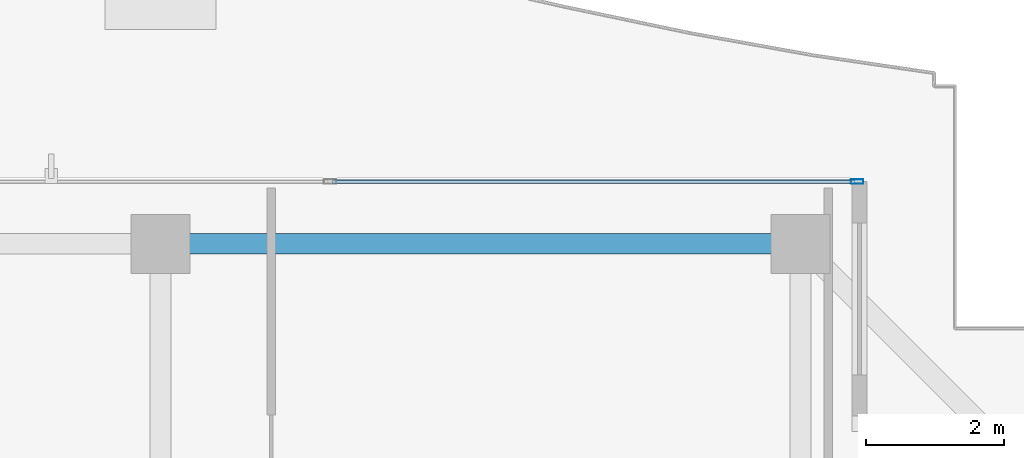
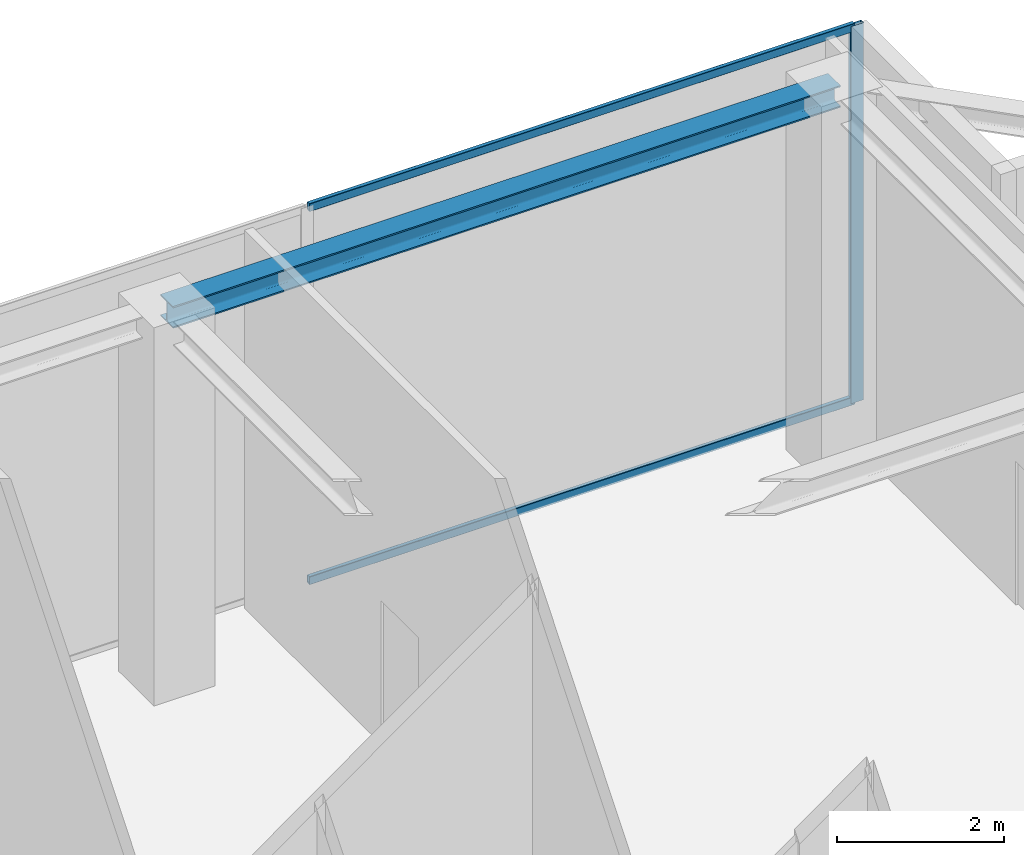
# One storey, part 24 of 38: 3 members, 1 beam, 1 element without a shape of its own.
"""IFC4 building model written with IfcOpenShell, lengths in metres."""

import ifcopenshell
import ifcopenshell.guid

model = None  # the IFC model being written
_history = None  # IfcOwnerHistory: only IFC2X3 demands one
_inside = {}  # id of a spatial element -> (the spatial element, [elements in it])
_under = {}  # id of a project, library or spatial element -> (it, [spatial elements below it])
_declared = {}  # id of a project -> (the project, [libraries it declares])
_typed = {}  # id of a type object -> (the type object, [elements of that type])
_made_of = {}  # id of a material, layer set ... -> (it, [elements and type objects made of it])


def new_model(schema):
    """Start an empty IFC model of exactly this schema.

    Asked for "IFC4X3", IfcOpenShell would pick the latest addendum, in which some entities
    have other attributes; the version numbers below select the first issue.
    IFC2X3 requires an IfcOwnerHistory on every rooted entity: one is made here for all.
    """
    global model, _history
    if schema == "IFC4X3":
        model = ifcopenshell.file(schema_version=(4, 3, 0, 0))
    else:
        model = ifcopenshell.file(schema=schema)
    _inside.clear()
    _under.clear()
    _declared.clear()
    _typed.clear()
    _made_of.clear()
    _history = None
    if model.schema == "IFC2X3":
        org = make("IfcOrganization", Name="unknown")
        user = make(
            "IfcPersonAndOrganization",
            ThePerson=make("IfcPerson", FamilyName="unknown"),
            TheOrganization=org,
        )
        app = make(
            "IfcApplication",
            ApplicationDeveloper=org,
            Version="unknown",
            ApplicationFullName="unknown",
            ApplicationIdentifier="unknown",
        )
        _history = make(
            "IfcOwnerHistory",
            OwningUser=user,
            OwningApplication=app,
            ChangeAction="ADDED",
            CreationDate=0,
        )
    return model


def make(cls, **values):
    """One entity of the class cls with the attributes given. An attribute that is None is left unset."""
    return model.create_entity(
        cls, **{name: value for name, value in values.items() if value is not None}
    )


def rooted(cls, **values):
    """An entity with a GlobalId (a new one), such as an element, a storey or a relation."""
    return make(cls, GlobalId=ifcopenshell.guid.new(), OwnerHistory=_history, **values)


def si_unit(unit_type, name, prefix=None):
    """IfcSIUnit, for example si_unit("LENGTHUNIT", "METRE", prefix="MILLI")."""
    return make("IfcSIUnit", UnitType=unit_type, Prefix=prefix, Name=name)


def assignment(units):
    """IfcUnitAssignment: the units of a project."""
    return None if units is None else make("IfcUnitAssignment", Units=units)


def point(xyz):
    """IfcCartesianPoint."""
    return None if xyz is None else make("IfcCartesianPoint", Coordinates=xyz)


def direction(xyz):
    """IfcDirection."""
    return None if xyz is None else make("IfcDirection", DirectionRatios=xyz)


def frame(location, z_axis=None, x_axis=None):
    """IfcAxis2Placement3D, a coordinate frame: its origin and axes. An axis left out is left unset."""
    return make(
        "IfcAxis2Placement3D",
        Location=point(location),
        Axis=direction(z_axis),
        RefDirection=direction(x_axis),
    )


def frame_2d(location, x_axis=None):
    """IfcAxis2Placement2D, a coordinate frame in the plane: its origin and x axis."""
    return make(
        "IfcAxis2Placement2D", Location=point(location), RefDirection=direction(x_axis)
    )


def origin():
    """The frame at (0, 0, 0) with its axes left unset."""
    return frame((0.0, 0.0, 0.0))


def origin_2d():
    """The frame at (0, 0) in the plane with its x axis left unset."""
    return frame_2d((0.0, 0.0))


def place(relative_to, where):
    """IfcLocalPlacement: puts the frame where relative to a parent placement (None: the world)."""
    return make(
        "IfcLocalPlacement", PlacementRelTo=relative_to, RelativePlacement=where
    )


def context(
    kind, dimensions, precision=None, world=None, true_north=None, identifier=None
):
    """IfcGeometricRepresentationContext, for example the 3D "Model" context."""
    return make(
        "IfcGeometricRepresentationContext",
        ContextIdentifier=identifier,
        ContextType=kind,
        CoordinateSpaceDimension=dimensions,
        Precision=precision,
        WorldCoordinateSystem=world,
        TrueNorth=true_north,
    )


def subcontext(parent, identifier, kind, view, scale=None):
    """IfcGeometricRepresentationSubContext, for example "Body" below "Model"."""
    return make(
        "IfcGeometricRepresentationSubContext",
        ContextIdentifier=identifier,
        ContextType=kind,
        ParentContext=parent,
        TargetScale=scale,
        TargetView=view,
    )


def project(units=None, contexts=None):
    """IfcProject with its units and contexts."""
    return rooted(
        "IfcProject",
        Name="project",
        RepresentationContexts=contexts,
        UnitsInContext=assignment(units),
    )


def spatial(cls, under=None, at=None, **own):
    """A site, building, storey or space (cls), placed at a placement, below another one or the project."""
    s = rooted(cls, ObjectPlacement=at, **own)
    if under is not None:
        _under.setdefault(under.id(), (under, []))[1].append(s)
    return s


def profile(cls, at=None, kind="AREA", **sizes):
    """A parametric profile (cls). Its sizes go by their IFC names, for example OverallWidth=200.0."""
    return make(cls, ProfileType=kind, Position=at, **sizes)


def hollow_rectangle(**sizes):
    """IfcRectangleHollowProfileDef."""
    return profile("IfcRectangleHollowProfileDef", **sizes)


def i_section(**sizes):
    """IfcIShapeProfileDef."""
    return profile("IfcIShapeProfileDef", **sizes)


def extrude(swept, where, along, depth):
    """IfcExtrudedAreaSolid: the profile swept, set in the frame where, extruded along a direction by depth."""
    return make(
        "IfcExtrudedAreaSolid",
        SweptArea=swept,
        Position=where,
        ExtrudedDirection=direction(along),
        Depth=depth,
    )


def shape(context_of_items, identifier, shape_type, items):
    """IfcShapeRepresentation: the items that make up one representation, for example the "Body"."""
    return make(
        "IfcShapeRepresentation",
        ContextOfItems=context_of_items,
        RepresentationIdentifier=identifier,
        RepresentationType=shape_type,
        Items=items,
    )


def source(mapping_origin, context_of_items, identifier, shape_type, items):
    """IfcRepresentationMap: a shape defined once, which mapped items show again and again."""
    return make(
        "IfcRepresentationMap",
        MappingOrigin=mapping_origin,
        MappedRepresentation=shape(context_of_items, identifier, shape_type, items),
    )


def transform(
    local_origin,
    x_axis=None,
    y_axis=None,
    z_axis=None,
    scale=None,
    scale2=None,
    scale3=None,
    uniform=True,
):
    """IfcCartesianTransformationOperator3D, or its non-uniform kind. x_axis, y_axis, z_axis: its Axis1, 2, 3."""
    if uniform:
        return make(
            "IfcCartesianTransformationOperator3D",
            Axis1=direction(x_axis),
            Axis2=direction(y_axis),
            LocalOrigin=point(local_origin),
            Scale=scale,
            Axis3=direction(z_axis),
        )
    return make(
        "IfcCartesianTransformationOperator3DnonUniform",
        Axis1=direction(x_axis),
        Axis2=direction(y_axis),
        LocalOrigin=point(local_origin),
        Scale=scale,
        Axis3=direction(z_axis),
        Scale2=scale2,
        Scale3=scale3,
    )


def mapped(mapping_source, mapping_target):
    """IfcMappedItem: shows the shape of a source again, moved by a transform."""
    return make(
        "IfcMappedItem", MappingSource=mapping_source, MappingTarget=mapping_target
    )


def material(Name=None, Category=None):
    """IfcMaterial."""
    return make("IfcMaterial", Name=Name, Category=Category)


def layer(
    of_material, thickness, ventilated=None, Name=None, Category=None, Priority=None
):
    """IfcMaterialLayer: one layer of a wall or slab, of a material (None: an air gap)."""
    return make(
        "IfcMaterialLayer",
        Material=of_material,
        LayerThickness=thickness,
        IsVentilated=ventilated,
        Name=Name,
        Category=Category,
        Priority=Priority,
    )


def layer_set(layers, Name=None):
    """IfcMaterialLayerSet."""
    return make("IfcMaterialLayerSet", MaterialLayers=layers, LayerSetName=Name)


def material_profile(
    of_material, cross_section, Name=None, Category=None, Priority=None
):
    """IfcMaterialProfile: a cross section and its material."""
    return make(
        "IfcMaterialProfile",
        Name=Name,
        Material=of_material,
        Profile=cross_section,
        Priority=Priority,
        Category=Category,
    )


def profile_set(profiles, Name=None, composite=None):
    """IfcMaterialProfileSet."""
    return make(
        "IfcMaterialProfileSet",
        Name=Name,
        MaterialProfiles=profiles,
        CompositeProfile=composite,
    )


def made_of(thing, what):
    """Note that an element or type object is made of a material, layer set ...; save() writes the relation."""
    if what is not None:
        _made_of.setdefault(what.id(), (what, []))[1].append(thing)
    return thing


def type_object(cls, material=None, **own):
    """A type object (cls), such as IfcWallType, which elements share."""
    return made_of(rooted(cls, **own), material)


def element(
    cls,
    number,
    at=None,
    inside=None,
    cuts=None,
    type_object=None,
    material=None,
    context=None,
    identifier="Body",
    shape_type=None,
    held_by="IfcProductDefinitionShape",
    body=None,
    shapes=None,
    **own,
):
    """One element of the class cls, such as IfcWall. Its Tag is "e" and its number.

    at: its placement. inside: the storey or other place that contains it. cuts: it is an
    opening in that element (IfcRelVoidsElement). A single representation is given by context,
    identifier, shape_type and body (its items); several are given by shapes. held_by: the class
    of the entity that holds the representations. save() writes the other relations.
    """
    e = rooted(cls, Tag="e%d" % number, ObjectPlacement=at, **own)
    if body is not None:
        shapes = [shape(context, identifier, shape_type, body)]
    if shapes is not None:
        e.Representation = make(held_by, Representations=shapes)
    if inside is not None:
        _inside.setdefault(inside.id(), (inside, []))[1].append(e)
    if cuts is not None:
        rooted(
            "IfcRelVoidsElement", RelatingBuildingElement=cuts, RelatedOpeningElement=e
        )
    if type_object is not None:
        _typed.setdefault(type_object.id(), (type_object, []))[1].append(e)
    return made_of(e, material)


def aggregate(whole, parts):
    """IfcRelAggregates: a whole, such as a stair, and the parts it consists of."""
    return rooted("IfcRelAggregates", RelatingObject=whole, RelatedObjects=parts)


def save(model, path):
    """Write the relations noted so far, then the file.

    IfcRelAggregates (storeys below a building ...), IfcRelContainedInSpatialStructure (elements
    in a storey), IfcRelDefinesByType, IfcRelAssociatesMaterial and IfcRelDeclares: one each for
    every whole, place, type object, material and project.
    """
    for whole, parts in _under.values():
        aggregate(whole, parts)
    for where, things in _inside.values():
        rooted(
            "IfcRelContainedInSpatialStructure",
            RelatedElements=things,
            RelatingStructure=where,
        )
    for kind, things in _typed.values():
        rooted("IfcRelDefinesByType", RelatedObjects=things, RelatingType=kind)
    for what, things in _made_of.values():
        rooted("IfcRelAssociatesMaterial", RelatedObjects=things, RelatingMaterial=what)
    for by, libraries in _declared.values():
        rooted("IfcRelDeclares", RelatingContext=by, RelatedDefinitions=libraries)
    model.write(path)


model = new_model("IFC4")

# Units and contexts
model_context = context("Model", 3, precision=1e-05, world=origin(), true_north=direction((0.0, 1.0)))
body_context = subcontext(model_context, "Body", "Model", "MODEL_VIEW")
ifc_project = project(units=[si_unit("LENGTHUNIT", "METRE"), si_unit("AREAUNIT", "SQUARE_METRE"), si_unit("VOLUMEUNIT", "CUBIC_METRE"), si_unit("PLANEANGLEUNIT", "RADIAN"), si_unit("MASSUNIT", "GRAM", prefix="KILO")], contexts=[model_context])

# Site, building, storey
site_placement = place(None, origin())
site = spatial("IfcSite", under=ifc_project, at=site_placement, CompositionType="ELEMENT")
building_placement = place(site_placement, origin())
building = spatial("IfcBuilding", under=site, at=building_placement, Name="Serunith Strait Residences", CompositionType="ELEMENT")
storey_placement = place(building_placement, frame((0.0, 0.0, 353.85009765625)))
storey = spatial("IfcBuildingStorey", under=building, at=storey_placement, Name="L87", CompositionType="ELEMENT", Elevation=353.85009765625)

# Beam
ifc_material_1 = material(Name="Steel S355J2", Category="steel")
ifc_material_profile_1 = material_profile(ifc_material_1, i_section(OverallWidth=0.300048828125, OverallDepth=0.320068359375, WebThickness=0.011474609375, FlangeThickness=0.0205078125, FilletRadius=0.027099609375, at=origin_2d()), Name="HEB 320")
ifc_profile_set_1 = profile_set([ifc_material_profile_1], Name="Steel S355J2")
beam_type = type_object("IfcBeamType", Name="BM-HEB320", PredefinedType="BEAM", material=ifc_profile_set_1)
shared_shape_1 = source(origin(), body_context, "Body", "SweptSolid", [
    extrude(i_section(OverallWidth=0.300048828125, OverallDepth=0.320068359375, WebThickness=0.011474609375, FlangeThickness=0.0205078125, FilletRadius=0.027099609375, at=origin_2d()), origin(), (0.0, 0.0, 1.0), 9.25),
])
beam_placement = place(storey_placement, frame((46.14990234375, 45.5, 5.376953125), z_axis=(-1.0, 0.0, 0.0), x_axis=(0.0, -1.0, 0.0)))
element("IfcBeam", 1, at=beam_placement, inside=storey, type_object=beam_type, Name="L87 Perimeter Ring Beam 09", PredefinedType="BEAM", context=body_context, shape_type="MappedRepresentation", body=[
    mapped(shared_shape_1, transform((0.0, 0.0, 0.0), scale=1.0)),
])

# Curtain wall, members
ifc_material_2 = material(Name="Brushed Stainless-Silver Aluminium", Category="aluminium")
ifc_layer = layer(ifc_material_2, 0.199951171875, Name="Brushed Stainless-Silver Aluminium")
ifc_layer_set = layer_set([ifc_layer], Name="Brushed Stainless-Silver Aluminium")
curtain_wall_type = type_object("IfcCurtainWallType", Name="CW-SYS5", PredefinedType="NOTDEFINED", material=ifc_layer_set)
curtain_wall_placement = place(storey_placement, origin())
curtain_wall = element("IfcCurtainWall", 2, at=curtain_wall_placement, inside=storey, type_object=curtain_wall_type, Name="L87 N Unitised Fritted Curtain Wall", PredefinedType="NOTDEFINED")
ifc_material_profile_2 = material_profile(ifc_material_2, hollow_rectangle(XDim=0.06005859375, YDim=0.1201171875, WallThickness=0.00341796875, InnerFilletRadius=0.00537109375, OuterFilletRadius=0.0087890625, at=origin_2d()), Name="ALU 120x60x3.5")
ifc_profile_set_2 = profile_set([ifc_material_profile_2], Name="Brushed Stainless-Silver Aluminium")
member_type_1 = type_object("IfcMemberType", Name="CW-SYS5-TRAN", PredefinedType="USERDEFINED", material=ifc_profile_set_2)
shared_shape_2 = source(origin(), body_context, "Body", "SweptSolid", [
    extrude(hollow_rectangle(XDim=0.06005859375, YDim=0.1201171875, WallThickness=0.00341796875, InnerFilletRadius=0.00537109375, OuterFilletRadius=0.0087890625, at=origin_2d()), origin(), (0.0, 0.0, 1.0), 7.552490234375),
])
member_1_placement = place(storey_placement, frame((46.93505859375, 46.39990234375, 0.02978515625), z_axis=(-1.0, 0.0, 0.0), x_axis=(0.0, -1.0, 0.0)))
member_1 = element("IfcMember", 3, at=member_1_placement, type_object=member_type_1, Name="CW-5 transom 1.1", ObjectType="TRANSOM", PredefinedType="USERDEFINED", context=body_context, shape_type="MappedRepresentation", body=[
    mapped(shared_shape_2, transform((0.0, 0.0, 0.0), scale=1.0)),
])
member_2_placement = place(storey_placement, frame((46.93505859375, 46.39990234375, 5.494873046875), z_axis=(-1.0, 0.0, 0.0), x_axis=(0.0, -1.0, 0.0)))
member_2 = element("IfcMember", 4, at=member_2_placement, type_object=member_type_1, Name="CW-5 transom 1.2", ObjectType="TRANSOM", PredefinedType="USERDEFINED", context=body_context, shape_type="MappedRepresentation", body=[
    mapped(shared_shape_2, transform((0.0, 0.0, 0.0), scale=1.0)),
])
ifc_material_profile_3 = material_profile(ifc_material_2, hollow_rectangle(XDim=0.06494140625, YDim=0.179931640625, WallThickness=0.00341796875, InnerFilletRadius=0.00537109375, OuterFilletRadius=0.0087890625, at=origin_2d()), Name="ALU 180x65x3.5")
ifc_profile_set_3 = profile_set([ifc_material_profile_3], Name="Brushed Stainless-Silver Aluminium")
member_type_2 = type_object("IfcMemberType", Name="CW-SYS5-MULL", PredefinedType="MULLION", material=ifc_profile_set_3)
shared_shape_3 = source(origin(), body_context, "Body", "SweptSolid", [
    extrude(hollow_rectangle(XDim=0.06494140625, YDim=0.179931640625, WallThickness=0.00341796875, InnerFilletRadius=0.00537109375, OuterFilletRadius=0.0087890625, at=origin_2d()), origin(), (0.0, 0.0, 1.0), 5.52490234375),
])
member_3_placement = place(storey_placement, frame((46.967529296875, 46.39990234375, 0.0), z_axis=(0.0, 0.0, 1.0), x_axis=(0.0, -1.0, 0.0)))
member_3 = element("IfcMember", 5, at=member_3_placement, type_object=member_type_2, Name="CW-5 mullion 1", PredefinedType="MULLION", context=body_context, shape_type="MappedRepresentation", body=[
    mapped(shared_shape_3, transform((0.0, 0.0, 0.0), scale=1.0)),
])
aggregate(curtain_wall, [member_3, member_1, member_2])

save(model, "model.ifc")
